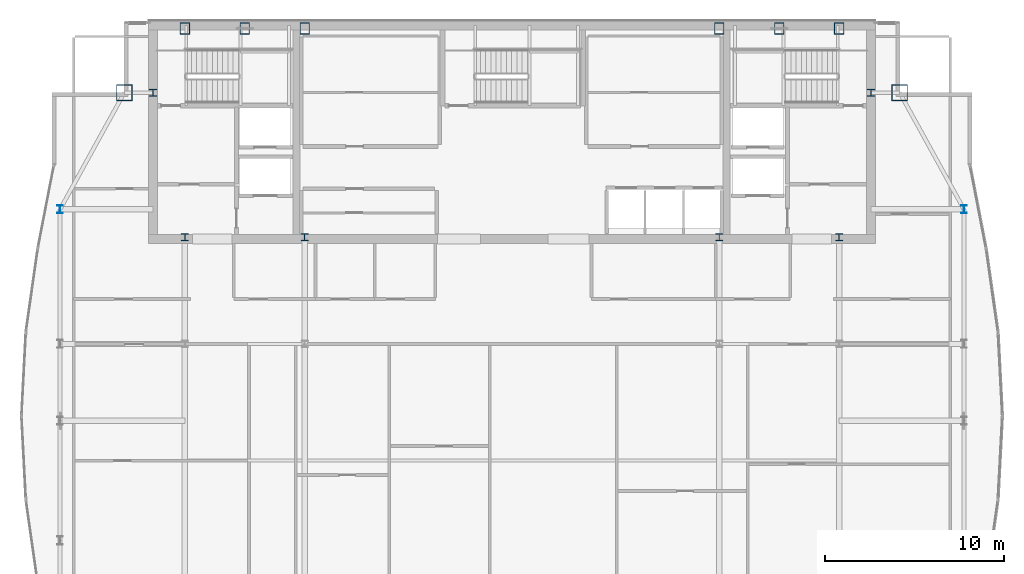
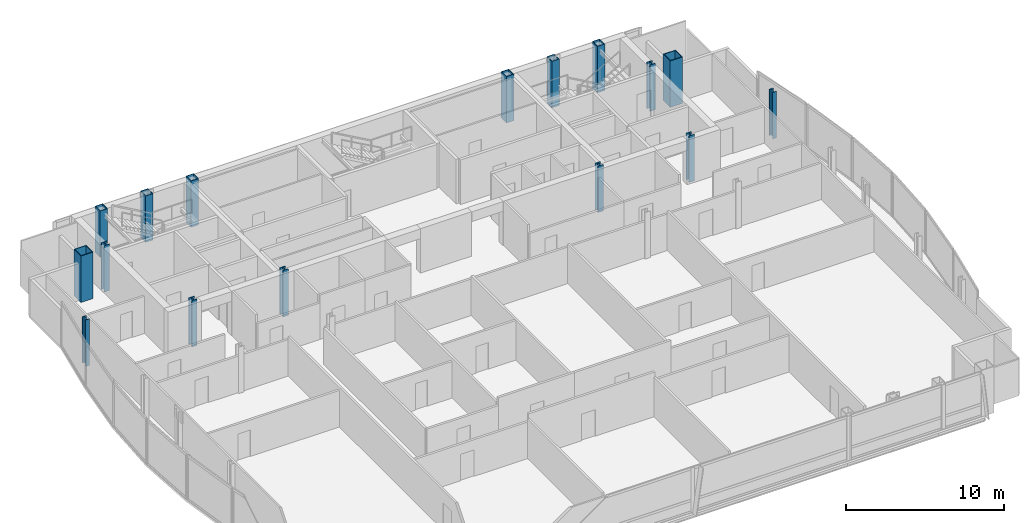
# One storey, part 3 of 27: 16 columns.
"""IFC4 building model written with IfcOpenShell, lengths in metres."""

from ifc_helpers import new_model, si_unit, direction, frame, origin, origin_2d, place, context, subcontext, project, spatial, hollow_rectangle, i_section, extrude, material, material_profile, profile_set, type_object, element, save


model = new_model("IFC4")

# Units and contexts
model_context = context("Model", 3, precision=1e-05, world=origin(), true_north=direction((0.0, 1.0)))
body_context = subcontext(model_context, "Body", "Model", "MODEL_VIEW")
ifc_project = project(units=[si_unit("LENGTHUNIT", "METRE"), si_unit("AREAUNIT", "SQUARE_METRE"), si_unit("VOLUMEUNIT", "CUBIC_METRE"), si_unit("PLANEANGLEUNIT", "RADIAN"), si_unit("MASSUNIT", "GRAM", prefix="KILO")], contexts=[model_context])

# Site, building, storey
site_placement = place(None, origin())
site = spatial("IfcSite", under=ifc_project, at=site_placement, CompositionType="ELEMENT")
building_placement = place(site_placement, origin())
building = spatial("IfcBuilding", under=site, at=building_placement, Name="Khoronbel Lancet Exchange", CompositionType="ELEMENT")
storey_placement = place(building_placement, frame((0.0, 0.0, 332.60009765625)))
storey = spatial("IfcBuildingStorey", under=building, at=storey_placement, Name="L86", CompositionType="ELEMENT", Elevation=332.60009765625)

# Columns
ifc_material_1 = material(Name="Steel S460", Category="steel")
ifc_material_profile_1 = material_profile(ifc_material_1, hollow_rectangle(XDim=0.550048828125, YDim=0.64990234375, WallThickness=0.0400390625, at=origin_2d()), Name="BOX 650x550x40")
ifc_profile_set_1 = profile_set([ifc_material_profile_1], Name="Steel S460")
column_type_1 = type_object("IfcColumnType", Name="COL-EC4", PredefinedType="COLUMN", material=ifc_profile_set_1)
for number, where, z_axis, x_axis, name in (
    (1, (18.22509765625, 53.280029296875, 0.0), (0.0, 0.0, 1.0), (1.0, 0.0, 0.0), "Structural column NC-W1 L86"),
    (2, (21.5625, 53.280029296875, 0.0), (0.0, 0.0, 1.0), (1.0, 0.0, 0.0), "Structural column NC-WM L86"),
    (3, (24.89990234375, 53.280029296875, 0.0), (0.0, 0.0, 1.0), (1.0, 0.0, 0.0), "Structural column NC-W2 L86"),
    (4, (48.0, 53.280029296875, 0.0), (0.0, 0.0, 1.0), (1.0, 0.0, 0.0), "Structural column NC-E1 L86"),
    (5, (51.33740234375, 53.280029296875, 0.0), (0.0, 0.0, 1.0), (1.0, 0.0, 0.0), "Structural column NC-EM L86"),
    (6, (54.675048828125, 53.280029296875, 0.0), (0.0, 0.0, 1.0), (1.0, 0.0, 0.0), "Structural column NC-E2 L86"),
):
    element("IfcColumn", number, at=place(storey_placement, frame(where, z_axis=z_axis, x_axis=x_axis)), inside=storey, type_object=column_type_1, Name=name, PredefinedType="COLUMN", context=body_context, shape_type="SweptSolid", body=[
        extrude(hollow_rectangle(XDim=0.550048828125, YDim=0.64990234375, WallThickness=0.0400390625, at=origin_2d()), origin(), (0.0, 0.0, 1.0), 3.599853515625),
    ])
ifc_material_2 = material(Name="Steel S355", Category="steel")
ifc_material_profile_2 = material_profile(ifc_material_2, i_section(OverallWidth=0.39892578125, OverallDepth=0.39306640625, WebThickness=0.022705078125, FlangeThickness=0.03662109375, at=origin_2d()), Name="HD 400x287")
ifc_profile_set_2 = profile_set([ifc_material_profile_2], Name="Steel S355")
column_type_2 = type_object("IfcColumnType", Name="COL-IC4", PredefinedType="COLUMN", material=ifc_profile_set_2)
for number, where, z_axis, x_axis, name in (
    (7, (16.449951171875, 49.699951171875, 0.0), (0.0, 0.0, 1.0), (1.0, 0.0, 0.0), "Core-flank plumb transfer column CFW L86"),
    (8, (56.449951171875, 49.699951171875, 0.0), (0.0, 0.0, 1.0), (1.0, 0.0, 0.0), "Core-flank plumb transfer column CFE L86"),
    (9, (18.22509765625, 41.64990234375, 0.0), (0.0, 0.0, 1.0), (1.0, 0.0, 0.0), "Core-embedded steel column CTC1 L86"),
    (10, (24.89990234375, 41.64990234375, 0.0), (0.0, 0.0, 1.0), (1.0, 0.0, 0.0), "Core-embedded steel column CTC2 L86"),
    (11, (48.0, 41.64990234375, 0.0), (0.0, 0.0, 1.0), (1.0, 0.0, 0.0), "Core-embedded steel column CTC3 L86"),
    (12, (54.675048828125, 41.64990234375, 0.0), (0.0, 0.0, 1.0), (1.0, 0.0, 0.0), "Core-embedded steel column CTC4 L86"),
):
    element("IfcColumn", number, at=place(storey_placement, frame(where, z_axis=z_axis, x_axis=x_axis)), inside=storey, type_object=column_type_2, Name=name, PredefinedType="COLUMN", context=body_context, shape_type="SweptSolid", body=[
        extrude(i_section(OverallWidth=0.39892578125, OverallDepth=0.39306640625, WebThickness=0.022705078125, FlangeThickness=0.03662109375, at=origin_2d()), origin(), (0.0, 0.0, 1.0), 3.599853515625),
    ])
ifc_material_profile_3 = material_profile(ifc_material_2, i_section(OverallWidth=0.300048828125, OverallDepth=0.449951171875, WebThickness=0.013916015625, FlangeThickness=0.02587890625, at=origin_2d()), Name="HEB 450")
ifc_profile_set_3 = profile_set([ifc_material_profile_3], Name="Steel S355")
column_type_3 = type_object("IfcColumnType", Name="COL-LC2", PredefinedType="COLUMN", material=ifc_profile_set_3)
for number, where, z_axis, x_axis, name in (
    (13, (11.27001953125, 43.199951171875, 0.0), (0.0, 0.0, 1.0), (1.0, 0.0, 0.0), "Structural column WC-4 L86"),
    (14, (61.6298828125, 43.199951171875, 0.0), (0.0, 0.0, 1.0), (1.0, 0.0, 0.0), "Structural column EC-4 L86"),
):
    element("IfcColumn", number, at=place(storey_placement, frame(where, z_axis=z_axis, x_axis=x_axis)), inside=storey, type_object=column_type_3, Name=name, PredefinedType="COLUMN", context=body_context, shape_type="SweptSolid", body=[
        extrude(i_section(OverallWidth=0.300048828125, OverallDepth=0.449951171875, WebThickness=0.013916015625, FlangeThickness=0.02587890625, at=origin_2d()), origin(), (0.0, 0.0, 1.0), 3.599853515625),
    ])
ifc_material_profile_4 = material_profile(ifc_material_1, hollow_rectangle(XDim=0.89990234375, YDim=0.89990234375, WallThickness=0.050048828125, at=origin_2d()), Name="BOX 900x900x50")
ifc_profile_set_4 = profile_set([ifc_material_profile_4], Name="Steel S460")
column_type_4 = type_object("IfcColumnType", Name="COL-MC7", PredefinedType="COLUMN", material=ifc_profile_set_4)
for number, where, z_axis, x_axis, name in (
    (15, (58.050048828125, 49.699951171875, 0.0), (0.0, 0.0, 1.0), (1.0, 0.0, 0.0), "Structural column MC-NE L86"),
    (16, (14.85009765625, 49.699951171875, 0.0), (0.0, 0.0, 1.0), (1.0, 0.0, 0.0), "Structural column MC-NW L86"),
):
    element("IfcColumn", number, at=place(storey_placement, frame(where, z_axis=z_axis, x_axis=x_axis)), inside=storey, type_object=column_type_4, Name=name, PredefinedType="COLUMN", context=body_context, shape_type="SweptSolid", body=[
        extrude(hollow_rectangle(XDim=0.89990234375, YDim=0.89990234375, WallThickness=0.050048828125, at=origin_2d()), origin(), (0.0, 0.0, 1.0), 3.599853515625),
    ])

save(model, "model.ifc")
